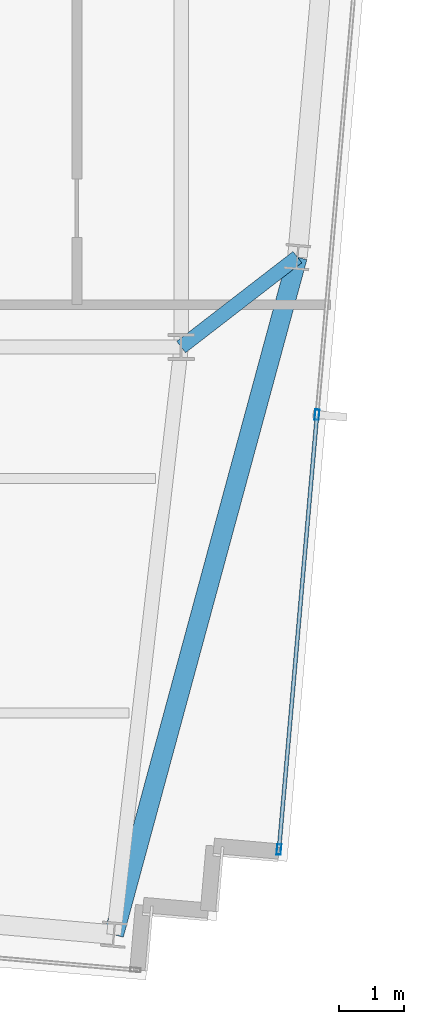
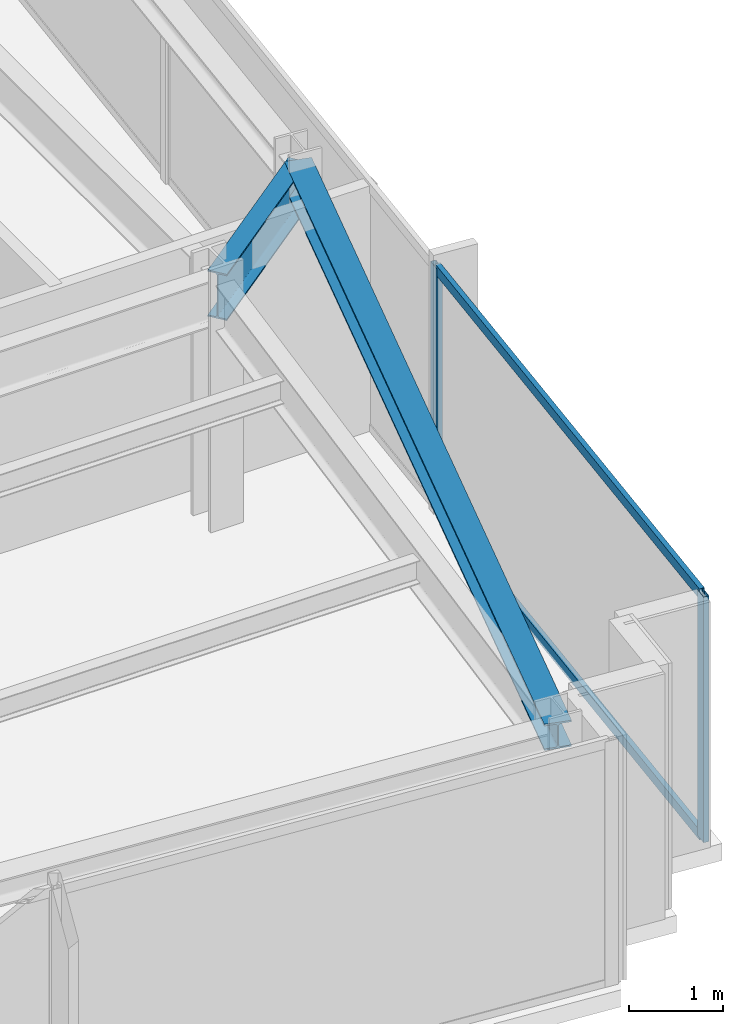
# One storey, part 16 of 32: 4 members, 2 beams, 1 element without a shape of its own.
"""IFC4 building model written with IfcOpenShell, lengths in metres."""

from ifc_helpers import new_model, si_unit, direction, frame, origin, origin_2d, place, context, subcontext, project, spatial, hollow_rectangle, i_section, extrude, material, material_profile, profile_set, type_object, element, aggregate, save


model = new_model("IFC4")

# Units and contexts
model_context = context("Model", 3, precision=1e-05, world=origin(), true_north=direction((0.0, 1.0)))
body_context = subcontext(model_context, "Body", "Model", "MODEL_VIEW")
ifc_project = project(units=[si_unit("LENGTHUNIT", "METRE"), si_unit("AREAUNIT", "SQUARE_METRE"), si_unit("VOLUMEUNIT", "CUBIC_METRE"), si_unit("PLANEANGLEUNIT", "RADIAN"), si_unit("MASSUNIT", "GRAM", prefix="KILO")], contexts=[model_context])

# Site, building, storey
site_placement = place(None, origin())
site = spatial("IfcSite", under=ifc_project, at=site_placement, CompositionType="ELEMENT")
building_placement = place(site_placement, origin())
building = spatial("IfcBuilding", under=site, at=building_placement, Name="Yelkora Congress Tower", CompositionType="ELEMENT")
storey_placement = place(building_placement, frame((0.0, 0.0, 262.5)))
storey = spatial("IfcBuildingStorey", under=building, at=storey_placement, Name="L73", CompositionType="ELEMENT", Elevation=262.5)

# Beams
ifc_material_1 = material(Name="Steel S355J2", Category="steel")
ifc_material_profile_1 = material_profile(ifc_material_1, i_section(OverallWidth=0.219970703125, OverallDepth=0.60009765625, WebThickness=0.011962890625, FlangeThickness=0.01904296875, FilletRadius=0.02392578125, at=origin_2d()), Name="IPE 600")
ifc_profile_set_1 = profile_set([ifc_material_profile_1], Name="Steel S355J2")
beam_type_1 = type_object("IfcBeamType", Name="BM-GIRD-IPE600", PredefinedType="BEAM", material=ifc_profile_set_1)
beam_1_placement = place(storey_placement, frame((55.543701171875, 26.57861328125, 2.8798828125), z_axis=(-0.791208781933, -0.611546125318, 0.0), x_axis=(0.611546125318, -0.791208781933, 0.0)))
element("IfcBeam", 1, at=beam_1_placement, inside=storey, type_object=beam_type_1, Name="L73 Primary Frame Girder E01", PredefinedType="BEAM", context=body_context, shape_type="SweptSolid", body=[
    extrude(i_section(OverallWidth=0.219970703125, OverallDepth=0.60009765625, WebThickness=0.011962890625, FlangeThickness=0.01904296875, FilletRadius=0.02392578125, at=origin_2d()), origin(), (0.0, 0.0, 1.0), 2.25439453125),
])
ifc_material_profile_2 = material_profile(ifc_material_1, i_section(OverallWidth=0.300048828125, OverallDepth=0.340087890625, WebThickness=0.011962890625, FlangeThickness=0.021484375, FilletRadius=0.027099609375, at=origin_2d()), Name="HEB 340")
ifc_profile_set_2 = profile_set([ifc_material_profile_2], Name="Steel S355J2")
beam_type_2 = type_object("IfcBeamType", Name="BM-SPAN-HEB340", PredefinedType="SPANDREL", material=ifc_profile_set_2)
beam_2_placement = place(storey_placement, frame((52.727294921875, 16.1845703125, 3.010009765625), z_axis=(0.261532523212, 0.965194663942, 0.0), x_axis=(-0.965194663942, 0.261532523212, 0.0)))
element("IfcBeam", 2, at=beam_2_placement, inside=storey, type_object=beam_type_2, Name="L73 Perimeter Beam 7", PredefinedType="SPANDREL", context=body_context, shape_type="SweptSolid", body=[
    extrude(i_section(OverallWidth=0.300048828125, OverallDepth=0.340087890625, WebThickness=0.011962890625, FlangeThickness=0.021484375, FilletRadius=0.027099609375, at=origin_2d()), origin(), (0.0, 0.0, 1.0), 10.768798828125),
])

# Curtain wall, members
ifc_material_2 = material(Name="Anodised aluminium and insulated glass", Category="aluminium")
curtain_wall_type = type_object("IfcCurtainWallType", Name="CW-SYS-B5", PredefinedType="NOTDEFINED", material=ifc_material_2)
curtain_wall_placement = place(storey_placement, origin())
curtain_wall = element("IfcCurtainWall", 3, at=curtain_wall_placement, inside=storey, type_object=curtain_wall_type, Name="L73 Unitised Curtain Wall 15", PredefinedType="NOTDEFINED")
ifc_material_3 = material(Name="Anodised aluminium 6063-T6", Category="aluminium")
ifc_material_profile_3 = material_profile(ifc_material_3, hollow_rectangle(XDim=0.06494140625, YDim=0.159912109375, WallThickness=0.00390625, at=origin_2d()), Name="ALU 65x160x4")
ifc_profile_set_3 = profile_set([ifc_material_profile_3], Name="Anodised aluminium 6063-T6")
member_type_1 = type_object("IfcMemberType", Name="MEM-ML-B5", PredefinedType="MULLION", material=ifc_profile_set_3)
member_1_placement = place(storey_placement, frame((55.844482421875, 24.1630859375, 0.0), z_axis=(0.0, 0.0, 1.0), x_axis=(0.996194463398, -0.087158425264, 0.0)))
member_1 = element("IfcMember", 4, at=member_1_placement, type_object=member_type_1, Name="CW-B5 mullion 4", PredefinedType="MULLION", context=body_context, shape_type="SweptSolid", body=[
    extrude(hollow_rectangle(XDim=0.06494140625, YDim=0.159912109375, WallThickness=0.00390625, at=origin_2d()), origin(), (0.0, 0.0, 1.0), 3.179931640625),
])
member_2_placement = place(storey_placement, frame((55.2607421875, 17.4912109375, 0.0), z_axis=(0.0, 0.0, 1.0), x_axis=(0.996194463398, -0.087158425264, 0.0)))
member_2 = element("IfcMember", 5, at=member_2_placement, type_object=member_type_1, Name="CW-B5 mullion 5", PredefinedType="MULLION", context=body_context, shape_type="SweptSolid", body=[
    extrude(hollow_rectangle(XDim=0.06494140625, YDim=0.159912109375, WallThickness=0.00390625, at=origin_2d()), origin(), (0.0, 0.0, 1.0), 3.179931640625),
])
ifc_material_profile_4 = material_profile(ifc_material_3, hollow_rectangle(XDim=0.06005859375, YDim=0.1298828125, WallThickness=0.00390625, at=origin_2d()), Name="ALU 60x130x4")
ifc_profile_set_4 = profile_set([ifc_material_profile_4], Name="Anodised aluminium 6063-T6")
member_type_2 = type_object("IfcMemberType", Name="MEM-TR-B5", PredefinedType="USERDEFINED", material=ifc_profile_set_4)
member_3_placement = place(storey_placement, frame((55.841552734375, 24.130859375, 0.030029296875), z_axis=(-0.087163297365, -0.996194037119, 0.0), x_axis=(0.996194037119, -0.087163297365, 0.0)))
member_3 = element("IfcMember", 6, at=member_3_placement, type_object=member_type_2, Name="CW-B5 transom 4.1", ObjectType="TRANSOM", PredefinedType="USERDEFINED", context=body_context, shape_type="SweptSolid", body=[
    extrude(hollow_rectangle(XDim=0.06005859375, YDim=0.1298828125, WallThickness=0.00390625, at=origin_2d()), origin(), (0.0, 0.0, 1.0), 6.632568359375),
])
member_4_placement = place(storey_placement, frame((55.841552734375, 24.130859375, 3.14990234375), z_axis=(-0.087163297365, -0.996194037119, 0.0), x_axis=(0.996194037119, -0.087163297365, 0.0)))
member_4 = element("IfcMember", 7, at=member_4_placement, type_object=member_type_2, Name="CW-B5 transom 4.2", ObjectType="TRANSOM", PredefinedType="USERDEFINED", context=body_context, shape_type="SweptSolid", body=[
    extrude(hollow_rectangle(XDim=0.06005859375, YDim=0.1298828125, WallThickness=0.00390625, at=origin_2d()), origin(), (0.0, 0.0, 1.0), 6.632568359375),
])
aggregate(curtain_wall, [member_1, member_2, member_3, member_4])

save(model, "model.ifc")
